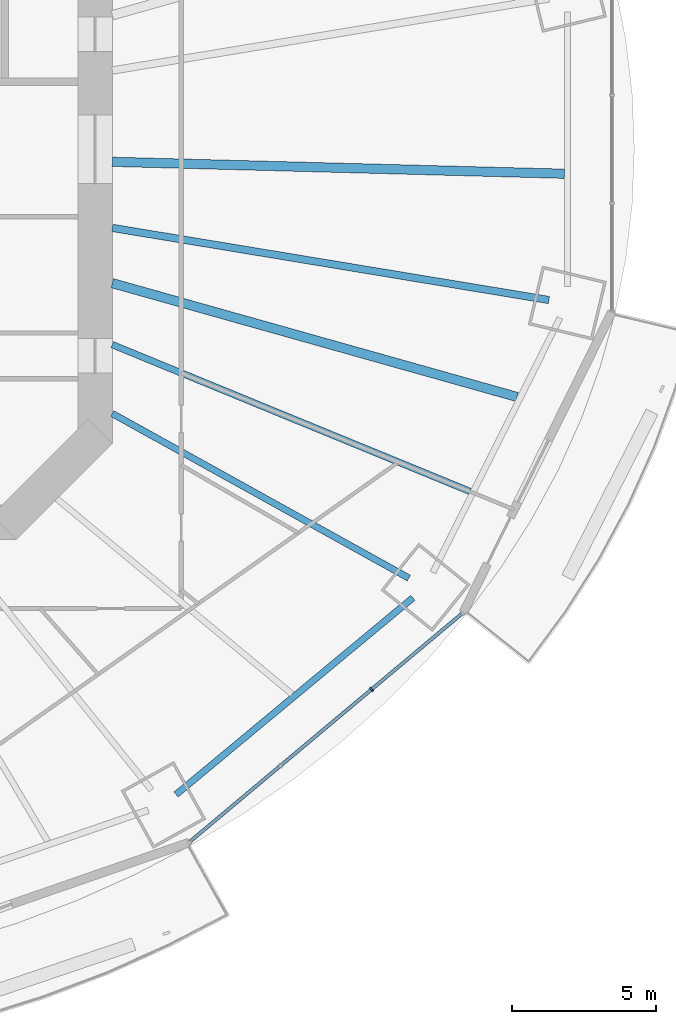
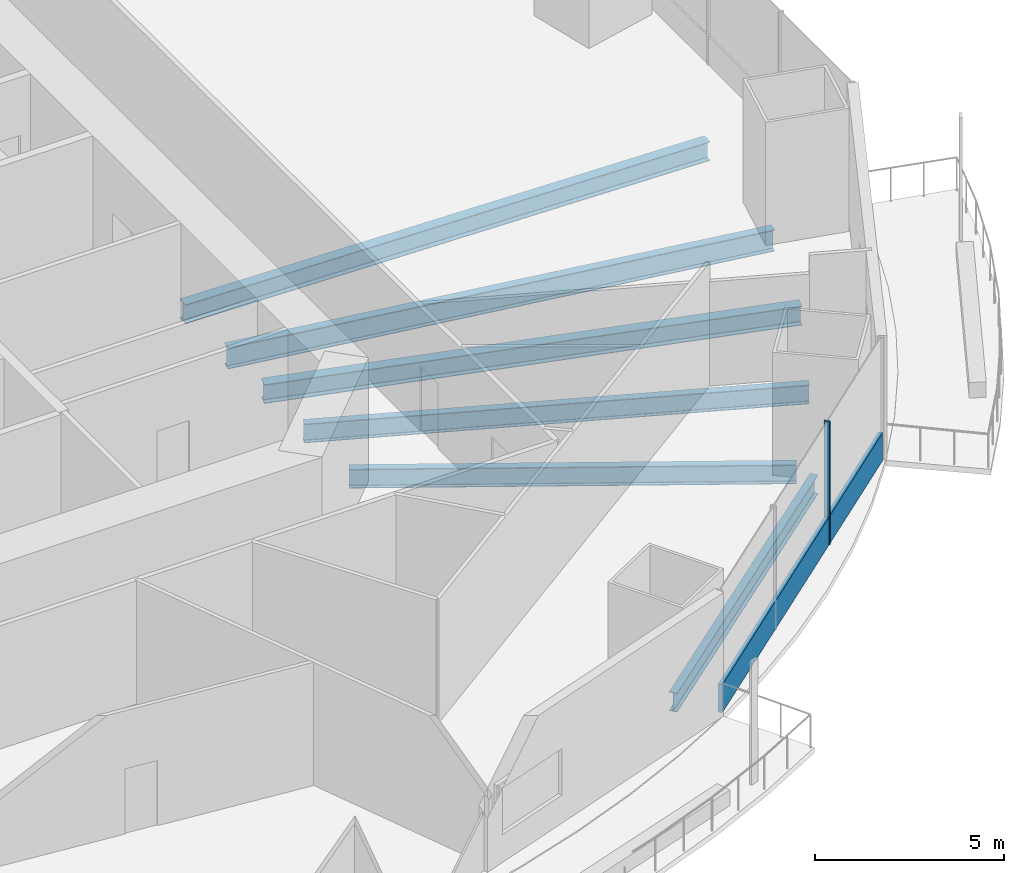
# One storey, part 5 of 22: 6 beams, 2 members, 1 element without a shape of its own.
"""IFC4 building model written with IfcOpenShell, lengths in metres."""

from ifc_helpers import new_model, si_unit, direction, frame, origin, origin_2d, place, context, subcontext, project, spatial, rectangle, i_section, extrude, material, material_profile, profile_set, type_object, element, aggregate, save


model = new_model("IFC4")

# Units and contexts
model_context = context("Model", 3, precision=1e-05, world=origin(), true_north=direction((0.0, 1.0)))
body_context = subcontext(model_context, "Body", "Model", "MODEL_VIEW")
ifc_project = project(units=[si_unit("LENGTHUNIT", "METRE"), si_unit("AREAUNIT", "SQUARE_METRE"), si_unit("VOLUMEUNIT", "CUBIC_METRE"), si_unit("PLANEANGLEUNIT", "RADIAN"), si_unit("MASSUNIT", "GRAM", prefix="KILO")], contexts=[model_context])

# Site, building, storey
site_placement = place(None, origin())
site = spatial("IfcSite", under=ifc_project, at=site_placement, CompositionType="ELEMENT")
building_placement = place(site_placement, origin())
building = spatial("IfcBuilding", under=site, at=building_placement, Name="Marenthal Gate Tower", CompositionType="ELEMENT")
storey_placement = place(building_placement, frame((0.0, 0.0, 99.39990234375)))
storey = spatial("IfcBuildingStorey", under=building, at=storey_placement, Name="L20", CompositionType="ELEMENT", Elevation=99.39990234375)

# Curtain wall, members
ifc_material_1 = material(Name="Aluminium and glass", Category="aluminium")
curtain_wall_type = type_object("IfcCurtainWallType", Name="Curtain wall typical low", PredefinedType="NOTDEFINED", material=ifc_material_1)
curtain_wall_placement = place(storey_placement, origin())
curtain_wall = element("IfcCurtainWall", 1, at=curtain_wall_placement, inside=storey, type_object=curtain_wall_type, Name="Curtain wall L20 bay 14", PredefinedType="NOTDEFINED")
ifc_material_2 = material(Name="Aluminium", Category="aluminium")
ifc_material_profile_1 = material_profile(ifc_material_2, rectangle(XDim=0.159912109375, YDim=0.06005859375, at=origin_2d()), Name="60x160 aluminium mullion")
ifc_profile_set_1 = profile_set([ifc_material_profile_1], Name="Aluminium")
member_type_1 = type_object("IfcMemberType", Name="Mullion 60x160 typical low", PredefinedType="MULLION", material=ifc_profile_set_1)
member_1_placement = place(storey_placement, frame((25.62939453125, -18.8193359375, 0.0), z_axis=(0.0, 0.0, 1.0), x_axis=(-0.642307658805, 0.766446913648, 0.0)))
member_1 = element("IfcMember", 2, at=member_1_placement, type_object=member_type_1, Name="Mullion L20 bay 14.3", PredefinedType="MULLION", context=body_context, shape_type="SweptSolid", body=[
    extrude(rectangle(XDim=0.159912109375, YDim=0.06005859375, at=origin_2d()), origin(), (0.0, 0.0, 1.0), 3.97021484375),
])
ifc_material_3 = material(Name="Aluminium", Category="aluminium")
ifc_material_profile_2 = material_profile(ifc_material_3, rectangle(XDim=0.1201171875, YDim=0.89990234375, at=origin_2d()), Name="120x900 aluminium transom")
ifc_profile_set_2 = profile_set([ifc_material_profile_2], Name="Aluminium")
member_type_2 = type_object("IfcMemberType", Name="Transom 120x900 typical low", PredefinedType="USERDEFINED", material=ifc_profile_set_2)
member_2_placement = place(storey_placement, frame((19.306396484375, -24.1181640625, 0.4501953125), z_axis=(0.766442158037, 0.642313333494, 0.0), x_axis=(-0.642313333494, 0.766442158037, 0.0)))
member_2 = element("IfcMember", 3, at=member_2_placement, type_object=member_type_2, Name="Transom L20 bay 14", ObjectType="TRANSOM", PredefinedType="USERDEFINED", context=body_context, shape_type="SweptSolid", body=[
    extrude(rectangle(XDim=0.1201171875, YDim=0.89990234375, at=origin_2d()), origin(), (0.0, 0.0, 1.0), 12.359619140625),
])
aggregate(curtain_wall, [member_1, member_2])

# Beams
ifc_material_4 = material(Name="Steel S355", Category="steel")
ifc_material_profile_3 = material_profile(ifc_material_4, i_section(OverallWidth=0.22900390625, OverallDepth=0.612060546875, WebThickness=0.011962890625, FlangeThickness=0.01953125, FilletRadius=0.0126953125, at=origin_2d()), Name="W610X125")
ifc_profile_set_3 = profile_set([ifc_material_profile_3], Name="Steel S355")
beam_type_1 = type_object("IfcBeamType", Name="W610X125 beam", PredefinedType="BEAM", material=ifc_profile_set_3)
beam_1_placement = place(storey_placement, frame((26.928466796875, -14.939697265625, -0.48583984375), z_axis=(-0.874435979354, 0.485140925929, 0.0), x_axis=(-0.485140925929, -0.874435979354, 0.0)))
element("IfcBeam", 4, at=beam_1_placement, inside=storey, type_object=beam_type_1, Name="BM-L20-15", PredefinedType="BEAM", context=body_context, shape_type="SweptSolid", body=[
    extrude(i_section(OverallWidth=0.22900390625, OverallDepth=0.612060546875, WebThickness=0.011962890625, FlangeThickness=0.01953125, FilletRadius=0.0126953125, at=origin_2d()), origin(), (0.0, 0.0, 1.0), 11.8115234375),
])
beam_2_placement = place(storey_placement, frame((29.060302734375, -11.921630859375, -0.48583984375), z_axis=(-0.925176615925, 0.379536861642, 0.0), x_axis=(-0.379536861642, -0.925176615925, 0.0)))
element("IfcBeam", 5, at=beam_2_placement, inside=storey, type_object=beam_type_1, Name="BM-L20-38", PredefinedType="BEAM", context=body_context, shape_type="SweptSolid", body=[
    extrude(i_section(OverallWidth=0.22900390625, OverallDepth=0.612060546875, WebThickness=0.011962890625, FlangeThickness=0.01953125, FilletRadius=0.0126953125, at=origin_2d()), origin(), (0.0, 0.0, 1.0), 13.468017578125),
])
beam_3_placement = place(storey_placement, frame((18.820068359375, -22.479736328125, -0.48583984375), z_axis=(0.769369356562, 0.638804190017, 0.0), x_axis=(-0.638804190017, 0.769369356562, 0.0)))
element("IfcBeam", 6, at=beam_3_placement, inside=storey, type_object=beam_type_1, Name="BM-L20-54", PredefinedType="BEAM", context=body_context, shape_type="SweptSolid", body=[
    extrude(i_section(OverallWidth=0.22900390625, OverallDepth=0.612060546875, WebThickness=0.011962890625, FlangeThickness=0.01953125, FilletRadius=0.0126953125, at=origin_2d()), origin(), (0.0, 0.0, 1.0), 10.7255859375),
])
ifc_material_5 = material(Name="Steel S355", Category="steel")
ifc_material_profile_4 = material_profile(ifc_material_5, i_section(OverallWidth=0.324951171875, OverallDepth=0.612060546875, WebThickness=0.0126953125, FlangeThickness=0.01904296875, FilletRadius=0.0126953125, at=origin_2d()), Name="W610X155")
ifc_profile_set_4 = profile_set([ifc_material_profile_4], Name="Steel S355")
beam_type_2 = type_object("IfcBeamType", Name="W610X155 beam", PredefinedType="BEAM", material=ifc_profile_set_4)
beam_4_placement = place(storey_placement, frame((30.701416015625, -8.631591796875, -0.48583984375), z_axis=(-0.962675778396, 0.270657247621, 0.0), x_axis=(-0.270657247621, -0.962675778396, 0.0)))
element("IfcBeam", 7, at=beam_4_placement, inside=storey, type_object=beam_type_2, Name="BM-L20-39", PredefinedType="BEAM", context=body_context, shape_type="SweptSolid", body=[
    extrude(i_section(OverallWidth=0.324951171875, OverallDepth=0.612060546875, WebThickness=0.0126953125, FlangeThickness=0.01904296875, FilletRadius=0.0126953125, at=origin_2d()), origin(), (0.0, 0.0, 1.0), 14.64794921875),
])
beam_5_placement = place(storey_placement, frame((32.34619140625, -0.854736328125, -0.48583984375), z_axis=(-0.999651167987, 0.026411026889, 0.0), x_axis=(-0.026411026889, -0.999651167987, 0.0)))
element("IfcBeam", 8, at=beam_5_placement, inside=storey, type_object=beam_type_2, Name="BM-L20-40", PredefinedType="BEAM", context=body_context, shape_type="SweptSolid", body=[
    extrude(i_section(OverallWidth=0.324951171875, OverallDepth=0.612060546875, WebThickness=0.0126953125, FlangeThickness=0.01904296875, FilletRadius=0.0126953125, at=origin_2d()), origin(), (0.0, 0.0, 1.0), 15.751708984375),
])
ifc_material_6 = material(Name="Steel S355", Category="steel")
ifc_material_profile_5 = material_profile(ifc_material_6, i_section(OverallWidth=0.257080078125, OverallDepth=0.693115234375, WebThickness=0.014404296875, FlangeThickness=0.023681640625, FilletRadius=0.015380859375, at=origin_2d()), Name="W690X170")
ifc_profile_set_5 = profile_set([ifc_material_profile_5], Name="Steel S355")
beam_type_3 = type_object("IfcBeamType", Name="W690X170 beam", PredefinedType="BEAM", material=ifc_profile_set_5)
beam_6_placement = place(storey_placement, frame((31.80810546875, -5.25341796875, -0.5263671875), z_axis=(-0.986634295721, 0.162950196404, 0.0), x_axis=(-0.162950196404, -0.986634295721, 0.0)))
element("IfcBeam", 9, at=beam_6_placement, inside=storey, type_object=beam_type_3, Name="BM-L20-16", PredefinedType="BEAM", context=body_context, shape_type="SweptSolid", body=[
    extrude(i_section(OverallWidth=0.257080078125, OverallDepth=0.693115234375, WebThickness=0.014404296875, FlangeThickness=0.023681640625, FilletRadius=0.015380859375, at=origin_2d()), origin(), (0.0, 0.0, 1.0), 15.4140625),
])

save(model, "model.ifc")
